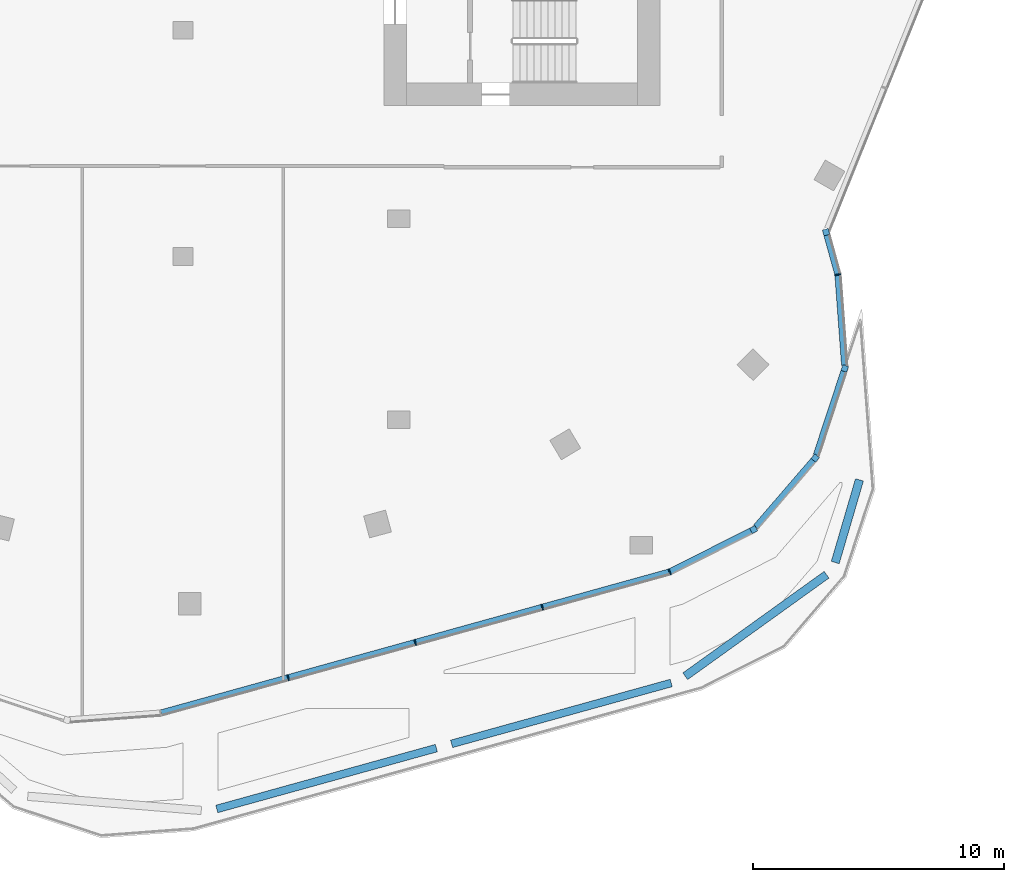
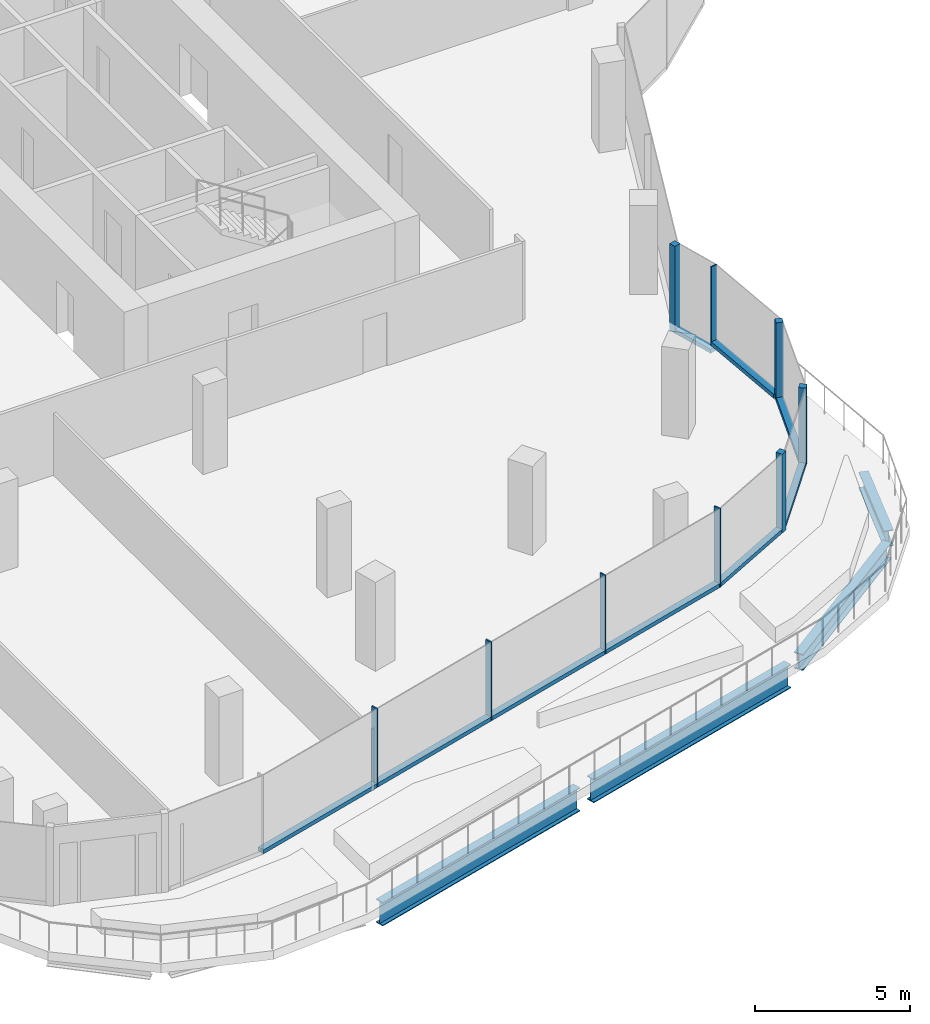
# One storey, part 4 of 16: 15 members, 4 beams, 6 elements without a shape of their own.
"""IFC4 building model written with IfcOpenShell, lengths in metres."""

from ifc_helpers import new_model, si_unit, direction, frame, origin, origin_2d, place, context, subcontext, project, spatial, rectangle, i_section, extrude, material, material_profile, profile_set, type_object, element, aggregate, save


model = new_model("IFC4")

# Units and contexts
model_context = context("Model", 3, precision=1e-05, world=origin(), true_north=direction((0.0, 1.0)))
body_context = subcontext(model_context, "Body", "Model", "MODEL_VIEW")
ifc_project = project(units=[si_unit("LENGTHUNIT", "METRE"), si_unit("AREAUNIT", "SQUARE_METRE"), si_unit("VOLUMEUNIT", "CUBIC_METRE"), si_unit("PLANEANGLEUNIT", "RADIAN"), si_unit("MASSUNIT", "GRAM", prefix="KILO")], contexts=[model_context])

# Site, building, storey
site_placement = place(None, origin())
site = spatial("IfcSite", under=ifc_project, at=site_placement, CompositionType="ELEMENT")
building_placement = place(site_placement, origin())
building = spatial("IfcBuilding", under=site, at=building_placement, Name="Orlundy Tower", CompositionType="ELEMENT")
storey_placement = place(building_placement, frame((0.0, 0.0, 292.89990234375)))
storey = spatial("IfcBuildingStorey", under=building, at=storey_placement, Name="L78", CompositionType="ELEMENT", Elevation=292.89990234375)

# Curtain wall, member
ifc_material_1 = material(Name="Aluminium bronze anodised", Category="aluminium")
curtain_wall_type = type_object("IfcCurtainWallType", Name="CW6 wall", PredefinedType="NOTDEFINED", material=ifc_material_1)
curtain_wall_1_placement = place(storey_placement, origin())
curtain_wall_1 = element("IfcCurtainWall", 1, at=curtain_wall_1_placement, inside=storey, type_object=curtain_wall_type, Name="CW6 run 02", PredefinedType="NOTDEFINED")
ifc_material_2 = material(Name="Aluminium bronze anodised", Category="aluminium")
ifc_material_profile_1 = material_profile(ifc_material_2, rectangle(XDim=0.239990234375, YDim=0.239990234375, at=origin_2d()), Name="CW6 corner post 240x240")
ifc_profile_set_1 = profile_set([ifc_material_profile_1], Name="Aluminium bronze anodised")
member_type_1 = type_object("IfcMemberType", Name="CW6 corner post 240x240", PredefinedType="MULLION", material=ifc_profile_set_1)
member_1_placement = place(storey_placement, frame((25.603515625, -17.0341796875, -0.31982421875), z_axis=(0.0, 0.0, 1.0), x_axis=(0.963590152069, 0.267383654766, 0.0)))
member_1 = element("IfcMember", 2, at=member_1_placement, type_object=member_type_1, Name="CW6 mullion 4", PredefinedType="MULLION", context=body_context, shape_type="SweptSolid", body=[
    extrude(rectangle(XDim=0.239990234375, YDim=0.239990234375, at=origin_2d()), origin(), (0.0, 0.0, 1.0), 3.419921875),
])

curtain_wall_2_placement = place(storey_placement, origin())
curtain_wall_2 = element("IfcCurtainWall", 3, at=curtain_wall_2_placement, inside=storey, type_object=curtain_wall_type, Name="CW6 run 04", PredefinedType="NOTDEFINED")
member_2_placement = place(storey_placement, frame((26.349365234375, -22.4580078125, 0.0), z_axis=(0.0, 0.0, 1.0), x_axis=(0.949676811134, -0.313231470951, 0.0)))
member_2 = element("IfcMember", 4, at=member_2_placement, type_object=member_type_1, Name="CW6 mullion 6", PredefinedType="MULLION", context=body_context, shape_type="SweptSolid", body=[
    extrude(rectangle(XDim=0.239990234375, YDim=0.239990234375, at=origin_2d()), origin(), (0.0, 0.0, 1.0), 3.10009765625),
])

curtain_wall_3_placement = place(storey_placement, origin())
curtain_wall_3 = element("IfcCurtainWall", 5, at=curtain_wall_3_placement, inside=storey, type_object=curtain_wall_type, Name="CW6 run 05", PredefinedType="NOTDEFINED")
member_3_placement = place(storey_placement, frame((25.173583984375, -26.023193359375, 0.0), z_axis=(0.0, 0.0, 1.0), x_axis=(0.757635374241, -0.652678052104, 0.0)))
member_3 = element("IfcMember", 6, at=member_3_placement, type_object=member_type_1, Name="CW6 mullion 7", PredefinedType="MULLION", context=body_context, shape_type="SweptSolid", body=[
    extrude(rectangle(XDim=0.239990234375, YDim=0.239990234375, at=origin_2d()), origin(), (0.0, 0.0, 1.0), 3.10009765625),
])

curtain_wall_4_placement = place(storey_placement, origin())
curtain_wall_4 = element("IfcCurtainWall", 7, at=curtain_wall_4_placement, inside=storey, type_object=curtain_wall_type, Name="CW6 run 06", PredefinedType="NOTDEFINED")
member_4_placement = place(storey_placement, frame((22.723388671875, -28.867431640625, 0.0), z_axis=(0.0, 0.0, 1.0), x_axis=(0.450017257968, -0.893019858419, 0.0)))
member_4 = element("IfcMember", 8, at=member_4_placement, type_object=member_type_1, Name="CW6 mullion 8", PredefinedType="MULLION", context=body_context, shape_type="SweptSolid", body=[
    extrude(rectangle(XDim=0.239990234375, YDim=0.239990234375, at=origin_2d()), origin(), (0.0, 0.0, 1.0), 3.10009765625),
])

curtain_wall_5_placement = place(storey_placement, origin())
curtain_wall_5 = element("IfcCurtainWall", 9, at=curtain_wall_5_placement, inside=storey, type_object=curtain_wall_type, Name="CW6 run 03", PredefinedType="NOTDEFINED")
ifc_material_3 = material(Name="Aluminium bronze anodised", Category="aluminium")
ifc_material_profile_2 = material_profile(ifc_material_3, rectangle(XDim=0.239990234375, YDim=0.050048828125, at=origin_2d()), Name="CW6 mullion 50x240")
ifc_profile_set_2 = profile_set([ifc_material_profile_2], Name="Aluminium bronze anodised")
member_type_2 = type_object("IfcMemberType", Name="CW6 mullion 50x240", PredefinedType="MULLION", material=ifc_profile_set_2)
member_5_placement = place(storey_placement, frame((26.07275390625, -18.725341796875, 0.0), z_axis=(0.0, 0.0, 1.0), x_axis=(0.985188266571, 0.171476177384, 0.0)))
member_5 = element("IfcMember", 10, at=member_5_placement, type_object=member_type_2, Name="CW6 mullion 5", PredefinedType="MULLION", context=body_context, shape_type="SweptSolid", body=[
    extrude(rectangle(XDim=0.239990234375, YDim=0.050048828125, at=origin_2d()), origin(), (0.0, 0.0, 1.0), 3.10009765625),
])

# Curtain wall, members
curtain_wall_6_placement = place(storey_placement, origin())
curtain_wall_6 = element("IfcCurtainWall", 11, at=curtain_wall_6_placement, inside=storey, type_object=curtain_wall_type, Name="CW6 run 07", PredefinedType="NOTDEFINED")
member_6_placement = place(storey_placement, frame((19.38134765625, -30.551513671875, 0.0), z_axis=(0.0, 0.0, 1.0), x_axis=(0.360362746117, -0.932812248639, 0.0)))
member_6 = element("IfcMember", 12, at=member_6_placement, type_object=member_type_2, Name="CW6 mullion 9", PredefinedType="MULLION", context=body_context, shape_type="SweptSolid", body=[
    extrude(rectangle(XDim=0.239990234375, YDim=0.050048828125, at=origin_2d()), origin(), (0.0, 0.0, 1.0), 3.10009765625),
])
member_7_placement = place(storey_placement, frame((14.31103515625, -31.95751953125, 0.0), z_axis=(0.0, 0.0, 1.0), x_axis=(0.267241052476, -0.963629710974, 0.0)))
member_7 = element("IfcMember", 13, at=member_7_placement, type_object=member_type_2, Name="CW6 mullion 10", PredefinedType="MULLION", context=body_context, shape_type="SweptSolid", body=[
    extrude(rectangle(XDim=0.239990234375, YDim=0.050048828125, at=origin_2d()), origin(), (0.0, 0.0, 1.0), 3.10009765625),
])
member_8_placement = place(storey_placement, frame((9.251953125, -33.360595703125, 0.0), z_axis=(0.0, 0.0, 1.0), x_axis=(0.267241052476, -0.963629710974, 0.0)))
member_8 = element("IfcMember", 14, at=member_8_placement, type_object=member_type_2, Name="CW6 mullion 11", PredefinedType="MULLION", context=body_context, shape_type="SweptSolid", body=[
    extrude(rectangle(XDim=0.239990234375, YDim=0.050048828125, at=origin_2d()), origin(), (0.0, 0.0, 1.0), 3.10009765625),
])
member_9_placement = place(storey_placement, frame((4.193115234375, -34.763671875, 0.0), z_axis=(0.0, 0.0, 1.0), x_axis=(0.267241052476, -0.963629710974, 0.0)))
member_9 = element("IfcMember", 15, at=member_9_placement, type_object=member_type_2, Name="CW6 mullion 12", PredefinedType="MULLION", context=body_context, shape_type="SweptSolid", body=[
    extrude(rectangle(XDim=0.239990234375, YDim=0.050048828125, at=origin_2d()), origin(), (0.0, 0.0, 1.0), 3.10009765625),
])

# Member
ifc_material_4 = material(Name="Aluminium bronze anodised", Category="aluminium")
ifc_material_profile_3 = material_profile(ifc_material_4, rectangle(XDim=0.239990234375, YDim=0.159912109375, at=origin_2d()), Name="CW6 transom 240x160")
ifc_profile_set_3 = profile_set([ifc_material_profile_3], Name="Aluminium bronze anodised")
member_type_3 = type_object("IfcMemberType", Name="CW6 transom 240x160", PredefinedType="USERDEFINED", material=ifc_profile_set_3)
member_10_placement = place(storey_placement, frame((25.635498046875, -17.14990234375, -0.239990234375), z_axis=(0.267503078068, -0.963557005695, 0.0), x_axis=(0.963557005695, 0.267503078068, 0.0)))
member_10 = element("IfcMember", 16, at=member_10_placement, type_object=member_type_3, Name="CW6 transom", ObjectType="TRANSOM", PredefinedType="USERDEFINED", context=body_context, shape_type="SweptSolid", body=[
    extrude(rectangle(XDim=0.239990234375, YDim=0.159912109375, at=origin_2d()), origin(), (0.0, 0.0, 1.0), 1.60986328125),
])

aggregate(curtain_wall_1, [member_1, member_10])

member_11_placement = place(storey_placement, frame((26.07470703125, -18.75048828125, 0.080078125), z_axis=(0.073901764664, -0.997265525916, 0.0), x_axis=(0.997265525916, 0.073901764664, 0.0)))
member_11 = element("IfcMember", 17, at=member_11_placement, type_object=member_type_3, Name="CW6 transom", ObjectType="TRANSOM", PredefinedType="USERDEFINED", context=body_context, shape_type="SweptSolid", body=[
    extrude(rectangle(XDim=0.239990234375, YDim=0.159912109375, at=origin_2d()), origin(), (0.0, 0.0, 1.0), 3.587646484375),
])

aggregate(curtain_wall_5, [member_5, member_11])

member_12_placement = place(storey_placement, frame((26.311767578125, -22.57177734375, 0.080078125), z_axis=(-0.313216620074, -0.949681709263, 0.0), x_axis=(0.949681709263, -0.313216620074, 0.0)))
member_12 = element("IfcMember", 18, at=member_12_placement, type_object=member_type_3, Name="CW6 transom", ObjectType="TRANSOM", PredefinedType="USERDEFINED", context=body_context, shape_type="SweptSolid", body=[
    extrude(rectangle(XDim=0.239990234375, YDim=0.159912109375, at=origin_2d()), origin(), (0.0, 0.0, 1.0), 3.50439453125),
])

aggregate(curtain_wall_2, [member_2, member_12])

member_13_placement = place(storey_placement, frame((25.09521484375, -26.1142578125, 0.080078125), z_axis=(-0.652694259918, -0.757621411438, 0.0), x_axis=(0.757621411438, -0.652694259918, 0.0)))
member_13 = element("IfcMember", 19, at=member_13_placement, type_object=member_type_3, Name="CW6 transom", ObjectType="TRANSOM", PredefinedType="USERDEFINED", context=body_context, shape_type="SweptSolid", body=[
    extrude(rectangle(XDim=0.239990234375, YDim=0.159912109375, at=origin_2d()), origin(), (0.0, 0.0, 1.0), 3.504150390625),
])

aggregate(curtain_wall_3, [member_3, member_13])

member_14_placement = place(storey_placement, frame((22.6162109375, -28.92138671875, 0.080078125), z_axis=(-0.893011074371, -0.450034688718, 0.0), x_axis=(0.450034688718, -0.893011074371, 0.0)))
member_14 = element("IfcMember", 20, at=member_14_placement, type_object=member_type_3, Name="CW6 transom", ObjectType="TRANSOM", PredefinedType="USERDEFINED", context=body_context, shape_type="SweptSolid", body=[
    extrude(rectangle(XDim=0.239990234375, YDim=0.159912109375, at=origin_2d()), origin(), (0.0, 0.0, 1.0), 3.59716796875),
])

aggregate(curtain_wall_4, [member_4, member_14])

member_15_placement = place(storey_placement, frame((19.357177734375, -30.55810546875, 0.080078125), z_axis=(-0.963628064249, -0.26724699024, 0.0), x_axis=(0.26724699024, -0.963628064249, 0.0)))
member_15 = element("IfcMember", 21, at=member_15_placement, type_object=member_type_3, Name="CW6 transom", ObjectType="TRANSOM", PredefinedType="USERDEFINED", context=body_context, shape_type="SweptSolid", body=[
    extrude(rectangle(XDim=0.239990234375, YDim=0.159912109375, at=origin_2d()), origin(), (0.0, 0.0, 1.0), 20.97314453125),
])

aggregate(curtain_wall_6, [member_6, member_7, member_8, member_9, member_15])

# Beams
ifc_material_5 = material(Name="Steel ASTM A992 Gr 50", Category="steel")
ifc_material_profile_4 = material_profile(ifc_material_5, i_section(OverallWidth=0.3291015625, OverallDepth=0.635009765625, WebThickness=0.017822265625, FlangeThickness=0.031005859375, at=origin_2d()), Name="W24X162")
ifc_profile_set_4 = profile_set([ifc_material_profile_4], Name="Steel ASTM A992 Gr 50")
beam_type_1 = type_object("IfcBeamType", Name="TERRACE EDGE BEAM beam W24X162", PredefinedType="BEAM", material=ifc_profile_set_4)
beam_1_placement = place(storey_placement, frame((26.93359375, -26.891357421875, -0.66748046875), z_axis=(-0.281117846183, -0.959673255102, 0.0), x_axis=(0.959673255102, -0.281117846183, 0.0)))
element("IfcBeam", 22, at=beam_1_placement, inside=storey, type_object=beam_type_1, Name="Terrace edge beam L78-1-02", PredefinedType="BEAM", context=body_context, shape_type="SweptSolid", body=[
    extrude(i_section(OverallWidth=0.3291015625, OverallDepth=0.635009765625, WebThickness=0.017822265625, FlangeThickness=0.031005859375, at=origin_2d()), origin(), (0.0, 0.0, 1.0), 3.429443359375),
])
beam_2_placement = place(storey_placement, frame((25.625, -30.668701171875, -0.66748046875), z_axis=(-0.812242377173, -0.583320084279, 0.0), x_axis=(0.583320084279, -0.812242377173, 0.0)))
element("IfcBeam", 23, at=beam_2_placement, inside=storey, type_object=beam_type_1, Name="Terrace edge beam L78-1-03", PredefinedType="BEAM", context=body_context, shape_type="SweptSolid", body=[
    extrude(i_section(OverallWidth=0.3291015625, OverallDepth=0.635009765625, WebThickness=0.017822265625, FlangeThickness=0.031005859375, at=origin_2d()), origin(), (0.0, 0.0, 1.0), 6.9267578125),
])
ifc_material_6 = material(Name="Steel ASTM A992 Gr 50", Category="steel")
ifc_material_profile_5 = material_profile(ifc_material_6, i_section(OverallWidth=0.3076171875, OverallDepth=0.9267578125, WebThickness=0.01953125, FlangeThickness=0.031982421875, at=origin_2d()), Name="W36X194")
ifc_profile_set_5 = profile_set([ifc_material_profile_5], Name="Steel ASTM A992 Gr 50")
beam_type_2 = type_object("IfcBeamType", Name="TERRACE EDGE BEAM beam W36X194", PredefinedType="BEAM", material=ifc_profile_set_5)
beam_3_placement = place(storey_placement, frame((19.439453125, -34.977294921875, -0.813232421875), z_axis=(-0.963636978279, -0.267214846319, 0.0), x_axis=(0.267214846319, -0.963636978279, 0.0)))
element("IfcBeam", 24, at=beam_3_placement, inside=storey, type_object=beam_type_2, Name="Terrace edge beam L78-1-04", PredefinedType="BEAM", context=body_context, shape_type="SweptSolid", body=[
    extrude(i_section(OverallWidth=0.3076171875, OverallDepth=0.9267578125, WebThickness=0.01953125, FlangeThickness=0.031982421875, at=origin_2d()), origin(), (0.0, 0.0, 1.0), 9.06982421875),
])
beam_4_placement = place(storey_placement, frame((10.092529296875, -37.569091796875, -0.813232421875), z_axis=(-0.963637735044, -0.267212117239, 0.0), x_axis=(0.267212117239, -0.963637735044, 0.0)))
element("IfcBeam", 25, at=beam_4_placement, inside=storey, type_object=beam_type_2, Name="Terrace edge beam L78-1-05", PredefinedType="BEAM", context=body_context, shape_type="SweptSolid", body=[
    extrude(i_section(OverallWidth=0.3076171875, OverallDepth=0.9267578125, WebThickness=0.01953125, FlangeThickness=0.031982421875, at=origin_2d()), origin(), (0.0, 0.0, 1.0), 9.07080078125),
])

save(model, "model.ifc")
